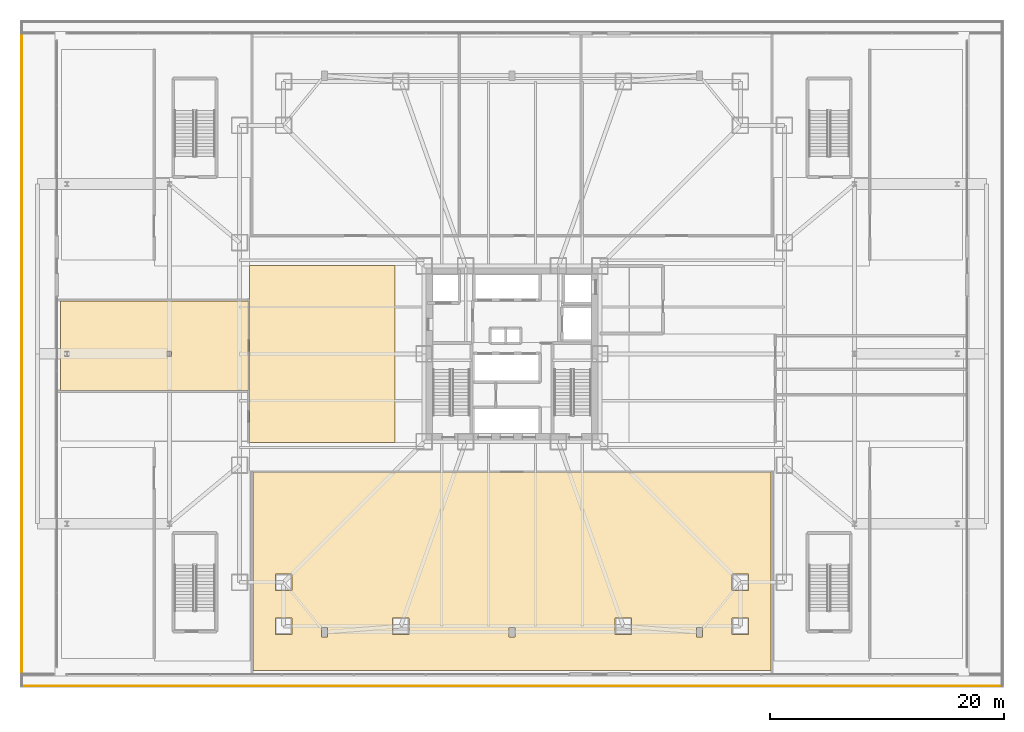
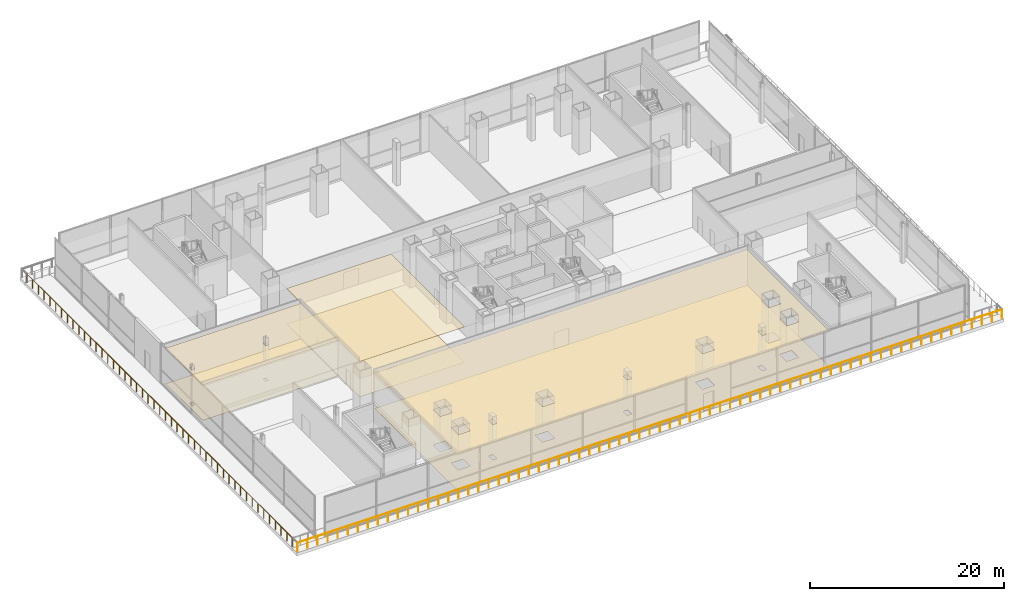
# One storey, part 26 of 36: 6 coverings, 2 railings.
"""IFC4 building model written with IfcOpenShell, lengths in metres."""

from ifc_helpers import new_model, si_unit, direction, frame, origin, origin_2d, place, context, subcontext, project, spatial, polyline, circle, outline, extrude, material, layer, layer_set, type_object, element, save


model = new_model("IFC4")

# Units and contexts
model_context = context("Model", 3, precision=1e-05, world=origin(), true_north=direction((0.0, 1.0)))
body_context = subcontext(model_context, "Body", "Model", "MODEL_VIEW")
ifc_project = project(units=[si_unit("LENGTHUNIT", "METRE"), si_unit("AREAUNIT", "SQUARE_METRE"), si_unit("VOLUMEUNIT", "CUBIC_METRE"), si_unit("PLANEANGLEUNIT", "RADIAN"), si_unit("MASSUNIT", "GRAM", prefix="KILO")], contexts=[model_context])

# Site, building, storey
site_placement = place(None, origin())
site = spatial("IfcSite", under=ifc_project, at=site_placement, CompositionType="ELEMENT")
building_placement = place(site_placement, origin())
building = spatial("IfcBuilding", under=site, at=building_placement, Name="Trevonay Congress Spire", CompositionType="ELEMENT")
storey_placement = place(building_placement, frame((0.0, 0.0, 5.39990234375)))
storey = spatial("IfcBuildingStorey", under=building, at=storey_placement, Name="L01", CompositionType="ELEMENT", Elevation=5.39990234375)

# Coverings
ifc_material_1 = material(Name="Acoustic Mineral Fibre Board", Category="gypsum")
ifc_layer_1 = layer(ifc_material_1, 0.02490234375, Name="Acoustic Mineral Fibre Board")
ifc_layer_set_1 = layer_set([ifc_layer_1], Name="Acoustic Mineral Fibre Board")
covering_type_1 = type_object("IfcCoveringType", Name="COV-CEIL-ACOUSTIC", PredefinedType="CEILING", material=ifc_layer_set_1)
covering_1_placement = place(storey_placement, frame((0.0, 0.0, 4.4501953125)))
element("IfcCovering", 1, at=covering_1_placement, inside=storey, type_object=covering_type_1, Name="L01 L01 West Concourse Foyer acoustic suspended ceiling", PredefinedType="CEILING", context=body_context, shape_type="SweptSolid", body=[
    extrude(outline(polyline([(-22.419921875, -7.550048828125), (-22.419921875, 7.550048828125), (-10.0, 7.550048828125), (-10.0, -7.550048828125), (-22.419921875, -7.550048828125)])), origin(), (0.0, 0.0, 1.0), 0.02490234375),
])
covering_2_placement = place(storey_placement, frame((0.0, 0.0, 4.4501953125)))
element("IfcCovering", 2, at=covering_2_placement, inside=storey, type_object=covering_type_1, Name="L01 Plenary Convention Hall acoustic suspended ceiling", PredefinedType="CEILING", context=body_context, shape_type="SweptSolid", body=[
    extrude(outline(polyline([(-22.1201171875, -10.080078125), (22.1201171875, -10.080078125), (22.1201171875, -27.050048828125), (-22.1201171875, -27.050048828125), (-22.1201171875, -10.080078125)]), holes=[polyline([(-15.739990234375, -23.340087890625), (-16.260009765625, -23.340087890625), (-16.260009765625, -24.159912109375), (-15.739990234375, -24.159912109375), (-15.739990234375, -23.340087890625)]), polyline([(0.260009765625, -23.340087890625), (-0.260009765625, -23.340087890625), (-0.260009765625, -24.159912109375), (0.260009765625, -24.159912109375), (0.260009765625, -23.340087890625)]), polyline([(16.260009765625, -23.340087890625), (15.739990234375, -23.340087890625), (15.739990234375, -24.159912109375), (16.260009765625, -24.159912109375), (16.260009765625, -23.340087890625)]), polyline([(-18.7900390625, -22.5400390625), (-20.2099609375, -22.5400390625), (-20.2099609375, -23.9599609375), (-18.7900390625, -23.9599609375), (-18.7900390625, -22.5400390625)]), polyline([(-8.7900390625, -22.5400390625), (-10.2099609375, -22.5400390625), (-10.2099609375, -23.9599609375), (-8.7900390625, -23.9599609375), (-8.7900390625, -22.5400390625)]), polyline([(10.2099609375, -22.5400390625), (8.7900390625, -22.5400390625), (8.7900390625, -23.9599609375), (10.2099609375, -23.9599609375), (10.2099609375, -22.5400390625)]), polyline([(20.2099609375, -22.5400390625), (18.7900390625, -22.5400390625), (18.7900390625, -23.9599609375), (20.2099609375, -23.9599609375), (20.2099609375, -22.5400390625)]), polyline([(-18.7900390625, -20.2099609375), (-18.7900390625, -18.7900390625), (-20.2099609375, -18.7900390625), (-20.2099609375, -20.2099609375), (-18.7900390625, -20.2099609375)]), polyline([(20.2099609375, -20.2099609375), (20.2099609375, -18.7900390625), (18.7900390625, -18.7900390625), (18.7900390625, -20.2099609375), (20.2099609375, -20.2099609375)])]), origin(), (0.0, 0.0, 1.0), 0.02490234375),
])
covering_3_placement = place(storey_placement, frame((0.0, 0.0, 4.4501953125)))
element("IfcCovering", 3, at=covering_3_placement, inside=storey, type_object=covering_type_1, Name="L01 Speaker Ready Room acoustic suspended ceiling", PredefinedType="CEILING", context=body_context, shape_type="SweptSolid", body=[
    extrude(outline(polyline([(-38.550048828125, 4.52001953125), (-22.47998046875, 4.52001953125), (-22.47998046875, -3.1201171875), (-38.550048828125, -3.1201171875), (-38.550048828125, 4.52001953125)]), holes=[polyline([(-38.18603515625, -0.21337890625), (-37.81396484375, -0.21337890625), (-37.81396484375, 0.21337890625), (-38.18603515625, 0.21337890625), (-38.18603515625, -0.21337890625)]), polyline([(-29.444091796875, -0.222412109375), (-29.055908203125, -0.222412109375), (-29.055908203125, 0.222412109375), (-29.444091796875, 0.222412109375), (-29.444091796875, -0.222412109375)])]), origin(), (0.0, 0.0, 1.0), 0.02490234375),
])
ifc_material_2 = material(Name="Polished Granite Floor Tile", Category="masonry")
ifc_layer_2 = layer(ifc_material_2, 0.02001953125, Name="Polished Granite Floor Tile")
ifc_layer_set_2 = layer_set([ifc_layer_2], Name="Polished Granite Floor Tile")
covering_type_2 = type_object("IfcCoveringType", Name="COV-FLOOR-STONE", PredefinedType="FLOORING", material=ifc_layer_set_2)
covering_4_placement = place(storey_placement, origin())
element("IfcCovering", 4, at=covering_4_placement, inside=storey, type_object=covering_type_2, Name="L01 L01 West Concourse Foyer floor finish", PredefinedType="FLOORING", context=body_context, shape_type="SweptSolid", body=[
    extrude(outline(polyline([(-22.419921875, -7.550048828125), (-22.419921875, 7.550048828125), (-10.0, 7.550048828125), (-10.0, -7.550048828125), (-22.419921875, -7.550048828125)])), origin(), (0.0, 0.0, 1.0), 0.02001953125),
])
covering_5_placement = place(storey_placement, origin())
element("IfcCovering", 5, at=covering_5_placement, inside=storey, type_object=covering_type_2, Name="L01 Plenary Convention Hall floor finish", PredefinedType="FLOORING", context=body_context, shape_type="SweptSolid", body=[
    extrude(outline(polyline([(-22.1201171875, -10.080078125), (22.1201171875, -10.080078125), (22.1201171875, -27.050048828125), (-22.1201171875, -27.050048828125), (-22.1201171875, -10.080078125)]), holes=[polyline([(-15.739990234375, -23.340087890625), (-16.260009765625, -23.340087890625), (-16.260009765625, -24.159912109375), (-15.739990234375, -24.159912109375), (-15.739990234375, -23.340087890625)]), polyline([(0.260009765625, -23.340087890625), (-0.260009765625, -23.340087890625), (-0.260009765625, -24.159912109375), (0.260009765625, -24.159912109375), (0.260009765625, -23.340087890625)]), polyline([(16.260009765625, -23.340087890625), (15.739990234375, -23.340087890625), (15.739990234375, -24.159912109375), (16.260009765625, -24.159912109375), (16.260009765625, -23.340087890625)]), polyline([(-18.7900390625, -22.5400390625), (-20.2099609375, -22.5400390625), (-20.2099609375, -23.9599609375), (-18.7900390625, -23.9599609375), (-18.7900390625, -22.5400390625)]), polyline([(-8.7900390625, -22.5400390625), (-10.2099609375, -22.5400390625), (-10.2099609375, -23.9599609375), (-8.7900390625, -23.9599609375), (-8.7900390625, -22.5400390625)]), polyline([(10.2099609375, -22.5400390625), (8.7900390625, -22.5400390625), (8.7900390625, -23.9599609375), (10.2099609375, -23.9599609375), (10.2099609375, -22.5400390625)]), polyline([(20.2099609375, -22.5400390625), (18.7900390625, -22.5400390625), (18.7900390625, -23.9599609375), (20.2099609375, -23.9599609375), (20.2099609375, -22.5400390625)]), polyline([(-18.7900390625, -20.2099609375), (-18.7900390625, -18.7900390625), (-20.2099609375, -18.7900390625), (-20.2099609375, -20.2099609375), (-18.7900390625, -20.2099609375)]), polyline([(20.2099609375, -20.2099609375), (20.2099609375, -18.7900390625), (18.7900390625, -18.7900390625), (18.7900390625, -20.2099609375), (20.2099609375, -20.2099609375)])]), origin(), (0.0, 0.0, 1.0), 0.02001953125),
])
ifc_material_3 = material(Name="Engineered Oak Flooring", Category="wood")
ifc_layer_3 = layer(ifc_material_3, 0.01806640625, Name="Engineered Oak Flooring")
ifc_layer_set_3 = layer_set([ifc_layer_3], Name="Engineered Oak Flooring")
covering_type_3 = type_object("IfcCoveringType", Name="COV-FLOOR-TIMBER", PredefinedType="FLOORING", material=ifc_layer_set_3)
covering_6_placement = place(storey_placement, origin())
element("IfcCovering", 6, at=covering_6_placement, inside=storey, type_object=covering_type_3, Name="L01 Speaker Ready Room floor finish", PredefinedType="FLOORING", context=body_context, shape_type="SweptSolid", body=[
    extrude(outline(polyline([(-38.550048828125, 4.52001953125), (-22.47998046875, 4.52001953125), (-22.47998046875, -3.1201171875), (-38.550048828125, -3.1201171875), (-38.550048828125, 4.52001953125)]), holes=[polyline([(-38.18603515625, -0.21337890625), (-37.81396484375, -0.21337890625), (-37.81396484375, 0.21337890625), (-38.18603515625, 0.21337890625), (-38.18603515625, -0.21337890625)]), polyline([(-29.444091796875, -0.222412109375), (-29.055908203125, -0.222412109375), (-29.055908203125, 0.222412109375), (-29.444091796875, 0.222412109375), (-29.444091796875, -0.222412109375)])]), origin(), (0.0, 0.0, 1.0), 0.01806640625),
])

# Railings
ifc_material_4 = material(Name="Pale Anodised Aluminium EN AW-6063-T6", Category="aluminium")
railing_type = type_object("IfcRailingType", Name="RAL-EXT-GUARD-115", PredefinedType="GUARDRAIL", material=ifc_material_4)
railing_1_placement = place(storey_placement, frame((-41.85009765625, 27.35009765625, 0.0)))
element("IfcRailing", 7, at=railing_1_placement, inside=storey, type_object=railing_type, Name="L01 perimeter safety guard GRD-L01-TER-W-4", PredefinedType="GUARDRAIL", context=body_context, shape_type="SweptSolid", body=[
    extrude(circle(Radius=0.02392578125, at=origin_2d()), frame((0.0, 0.0, 1.1259765625), z_axis=(0.0, -1.0, 0.0), x_axis=(1.0, 0.0, 0.0)), (0.0, 0.0, 1.0), 54.7001953125),
    extrude(circle(Radius=0.02099609375, at=origin_2d()), origin(), (0.0, 0.0, 1.0), 1.101806640625),
    extrude(circle(Radius=0.02099609375, at=origin_2d()), frame((0.0, -1.189208984375, 0.0)), (0.0, 0.0, 1.0), 1.101806640625),
    extrude(circle(Radius=0.02099609375, at=origin_2d()), frame((0.0, -2.378173828125, 0.0)), (0.0, 0.0, 1.0), 1.101806640625),
    extrude(circle(Radius=0.02099609375, at=origin_2d()), frame((0.0, -3.5673828125, 0.0)), (0.0, 0.0, 1.0), 1.101806640625),
    extrude(circle(Radius=0.02099609375, at=origin_2d()), frame((0.0, -4.756591796875, 0.0)), (0.0, 0.0, 1.0), 1.101806640625),
    extrude(circle(Radius=0.02099609375, at=origin_2d()), frame((0.0, -5.945556640625, 0.0)), (0.0, 0.0, 1.0), 1.101806640625),
    extrude(circle(Radius=0.02099609375, at=origin_2d()), frame((0.0, -7.134765625, 0.0)), (0.0, 0.0, 1.0), 1.101806640625),
    extrude(circle(Radius=0.02099609375, at=origin_2d()), frame((0.0, -8.323974609375, 0.0)), (0.0, 0.0, 1.0), 1.101806640625),
    extrude(circle(Radius=0.02099609375, at=origin_2d()), frame((0.0, -9.51318359375, 0.0)), (0.0, 0.0, 1.0), 1.101806640625),
    extrude(circle(Radius=0.02099609375, at=origin_2d()), frame((0.0, -10.7021484375, 0.0)), (0.0, 0.0, 1.0), 1.101806640625),
    extrude(circle(Radius=0.02099609375, at=origin_2d()), frame((0.0, -11.891357421875, 0.0)), (0.0, 0.0, 1.0), 1.101806640625),
    extrude(circle(Radius=0.02099609375, at=origin_2d()), frame((0.0, -13.08056640625, 0.0)), (0.0, 0.0, 1.0), 1.101806640625),
    extrude(circle(Radius=0.02099609375, at=origin_2d()), frame((0.0, -14.26953125, 0.0)), (0.0, 0.0, 1.0), 1.101806640625),
    extrude(circle(Radius=0.02099609375, at=origin_2d()), frame((0.0, -15.458740234375, 0.0)), (0.0, 0.0, 1.0), 1.101806640625),
    extrude(circle(Radius=0.02099609375, at=origin_2d()), frame((0.0, -16.64794921875, 0.0)), (0.0, 0.0, 1.0), 1.101806640625),
    extrude(circle(Radius=0.02099609375, at=origin_2d()), frame((0.0, -17.8369140625, 0.0)), (0.0, 0.0, 1.0), 1.101806640625),
    extrude(circle(Radius=0.02099609375, at=origin_2d()), frame((0.0, -19.026123046875, 0.0)), (0.0, 0.0, 1.0), 1.101806640625),
    extrude(circle(Radius=0.02099609375, at=origin_2d()), frame((0.0, -20.21533203125, 0.0)), (0.0, 0.0, 1.0), 1.101806640625),
    extrude(circle(Radius=0.02099609375, at=origin_2d()), frame((0.0, -21.404541015625, 0.0)), (0.0, 0.0, 1.0), 1.101806640625),
    extrude(circle(Radius=0.02099609375, at=origin_2d()), frame((0.0, -22.593505859375, 0.0)), (0.0, 0.0, 1.0), 1.101806640625),
    extrude(circle(Radius=0.02099609375, at=origin_2d()), frame((0.0, -23.78271484375, 0.0)), (0.0, 0.0, 1.0), 1.101806640625),
    extrude(circle(Radius=0.02099609375, at=origin_2d()), frame((0.0, -24.971923828125, 0.0)), (0.0, 0.0, 1.0), 1.101806640625),
    extrude(circle(Radius=0.02099609375, at=origin_2d()), frame((0.0, -26.160888671875, 0.0)), (0.0, 0.0, 1.0), 1.101806640625),
    extrude(circle(Radius=0.02099609375, at=origin_2d()), frame((0.0, -27.35009765625, 0.0)), (0.0, 0.0, 1.0), 1.101806640625),
    extrude(circle(Radius=0.02099609375, at=origin_2d()), frame((0.0, -28.539306640625, 0.0)), (0.0, 0.0, 1.0), 1.101806640625),
    extrude(circle(Radius=0.02099609375, at=origin_2d()), frame((0.0, -29.728271484375, 0.0)), (0.0, 0.0, 1.0), 1.101806640625),
    extrude(circle(Radius=0.02099609375, at=origin_2d()), frame((0.0, -30.91748046875, 0.0)), (0.0, 0.0, 1.0), 1.101806640625),
    extrude(circle(Radius=0.02099609375, at=origin_2d()), frame((0.0, -32.106689453125, 0.0)), (0.0, 0.0, 1.0), 1.101806640625),
    extrude(circle(Radius=0.02099609375, at=origin_2d()), frame((0.0, -33.295654296875, 0.0)), (0.0, 0.0, 1.0), 1.101806640625),
    extrude(circle(Radius=0.02099609375, at=origin_2d()), frame((0.0, -34.48486328125, 0.0)), (0.0, 0.0, 1.0), 1.101806640625),
    extrude(circle(Radius=0.02099609375, at=origin_2d()), frame((0.0, -35.674072265625, 0.0)), (0.0, 0.0, 1.0), 1.101806640625),
    extrude(circle(Radius=0.02099609375, at=origin_2d()), frame((0.0, -36.86328125, 0.0)), (0.0, 0.0, 1.0), 1.101806640625),
    extrude(circle(Radius=0.02099609375, at=origin_2d()), frame((0.0, -38.05224609375, 0.0)), (0.0, 0.0, 1.0), 1.101806640625),
    extrude(circle(Radius=0.02099609375, at=origin_2d()), frame((0.0, -39.241455078125, 0.0)), (0.0, 0.0, 1.0), 1.101806640625),
    extrude(circle(Radius=0.02099609375, at=origin_2d()), frame((0.0, -40.4306640625, 0.0)), (0.0, 0.0, 1.0), 1.101806640625),
    extrude(circle(Radius=0.02099609375, at=origin_2d()), frame((0.0, -41.61962890625, 0.0)), (0.0, 0.0, 1.0), 1.101806640625),
    extrude(circle(Radius=0.02099609375, at=origin_2d()), frame((0.0, -42.808837890625, 0.0)), (0.0, 0.0, 1.0), 1.101806640625),
    extrude(circle(Radius=0.02099609375, at=origin_2d()), frame((0.0, -43.998046875, 0.0)), (0.0, 0.0, 1.0), 1.101806640625),
    extrude(circle(Radius=0.02099609375, at=origin_2d()), frame((0.0, -45.18701171875, 0.0)), (0.0, 0.0, 1.0), 1.101806640625),
    extrude(circle(Radius=0.02099609375, at=origin_2d()), frame((0.0, -46.376220703125, 0.0)), (0.0, 0.0, 1.0), 1.101806640625),
    extrude(circle(Radius=0.02099609375, at=origin_2d()), frame((0.0, -47.5654296875, 0.0)), (0.0, 0.0, 1.0), 1.101806640625),
    extrude(circle(Radius=0.02099609375, at=origin_2d()), frame((0.0, -48.754638671875, 0.0)), (0.0, 0.0, 1.0), 1.101806640625),
    extrude(circle(Radius=0.02099609375, at=origin_2d()), frame((0.0, -49.943603515625, 0.0)), (0.0, 0.0, 1.0), 1.101806640625),
    extrude(circle(Radius=0.02099609375, at=origin_2d()), frame((0.0, -51.1328125, 0.0)), (0.0, 0.0, 1.0), 1.101806640625),
    extrude(circle(Radius=0.02099609375, at=origin_2d()), frame((0.0, -52.322021484375, 0.0)), (0.0, 0.0, 1.0), 1.101806640625),
    extrude(circle(Radius=0.02099609375, at=origin_2d()), frame((0.0, -53.510986328125, 0.0)), (0.0, 0.0, 1.0), 1.101806640625),
    extrude(circle(Radius=0.02099609375, at=origin_2d()), frame((0.0, -54.7001953125, 0.0)), (0.0, 0.0, 1.0), 1.101806640625),
])
railing_2_placement = place(storey_placement, frame((-41.85009765625, -28.35009765625, 0.0)))
element("IfcRailing", 8, at=railing_2_placement, inside=storey, type_object=railing_type, Name="L01 perimeter safety guard GRD-L01-TER-S-2", PredefinedType="GUARDRAIL", context=body_context, shape_type="SweptSolid", body=[
    extrude(circle(Radius=0.02392578125, at=origin_2d()), frame((0.0, 0.0, 1.1259765625), z_axis=(1.0, 0.0, 0.0), x_axis=(0.0, 1.0, 0.0)), (0.0, 0.0, 1.0), 83.7001953125),
    extrude(circle(Radius=0.02099609375, at=origin_2d()), origin(), (0.0, 0.0, 1.0), 1.101806640625),
    extrude(circle(Radius=0.02099609375, at=origin_2d()), frame((1.19580078125, 0.0, 0.0)), (0.0, 0.0, 1.0), 1.101806640625),
    extrude(circle(Radius=0.02099609375, at=origin_2d()), frame((2.391357421875, 0.0, 0.0)), (0.0, 0.0, 1.0), 1.101806640625),
    extrude(circle(Radius=0.02099609375, at=origin_2d()), frame((3.587158203125, 0.0, 0.0)), (0.0, 0.0, 1.0), 1.101806640625),
    extrude(circle(Radius=0.02099609375, at=origin_2d()), frame((4.782958984375, 0.0, 0.0)), (0.0, 0.0, 1.0), 1.101806640625),
    extrude(circle(Radius=0.02099609375, at=origin_2d()), frame((5.978515625, 0.0, 0.0)), (0.0, 0.0, 1.0), 1.101806640625),
    extrude(circle(Radius=0.02099609375, at=origin_2d()), frame((7.17431640625, 0.0, 0.0)), (0.0, 0.0, 1.0), 1.101806640625),
    extrude(circle(Radius=0.02099609375, at=origin_2d()), frame((8.3701171875, 0.0, 0.0)), (0.0, 0.0, 1.0), 1.101806640625),
    extrude(circle(Radius=0.02099609375, at=origin_2d()), frame((9.565673828125, 0.0, 0.0)), (0.0, 0.0, 1.0), 1.101806640625),
    extrude(circle(Radius=0.02099609375, at=origin_2d()), frame((10.761474609375, 0.0, 0.0)), (0.0, 0.0, 1.0), 1.101806640625),
    extrude(circle(Radius=0.02099609375, at=origin_2d()), frame((11.957275390625, 0.0, 0.0)), (0.0, 0.0, 1.0), 1.101806640625),
    extrude(circle(Radius=0.02099609375, at=origin_2d()), frame((13.15283203125, 0.0, 0.0)), (0.0, 0.0, 1.0), 1.101806640625),
    extrude(circle(Radius=0.02099609375, at=origin_2d()), frame((14.3486328125, 0.0, 0.0)), (0.0, 0.0, 1.0), 1.101806640625),
    extrude(circle(Radius=0.02099609375, at=origin_2d()), frame((15.54443359375, 0.0, 0.0)), (0.0, 0.0, 1.0), 1.101806640625),
    extrude(circle(Radius=0.02099609375, at=origin_2d()), frame((16.739990234375, 0.0, 0.0)), (0.0, 0.0, 1.0), 1.101806640625),
    extrude(circle(Radius=0.02099609375, at=origin_2d()), frame((17.935791015625, 0.0, 0.0)), (0.0, 0.0, 1.0), 1.101806640625),
    extrude(circle(Radius=0.02099609375, at=origin_2d()), frame((19.131591796875, 0.0, 0.0)), (0.0, 0.0, 1.0), 1.101806640625),
    extrude(circle(Radius=0.02099609375, at=origin_2d()), frame((20.3271484375, 0.0, 0.0)), (0.0, 0.0, 1.0), 1.101806640625),
    extrude(circle(Radius=0.02099609375, at=origin_2d()), frame((21.52294921875, 0.0, 0.0)), (0.0, 0.0, 1.0), 1.101806640625),
    extrude(circle(Radius=0.02099609375, at=origin_2d()), frame((22.718505859375, 0.0, 0.0)), (0.0, 0.0, 1.0), 1.101806640625),
    extrude(circle(Radius=0.02099609375, at=origin_2d()), frame((23.914306640625, 0.0, 0.0)), (0.0, 0.0, 1.0), 1.101806640625),
    extrude(circle(Radius=0.02099609375, at=origin_2d()), frame((25.110107421875, 0.0, 0.0)), (0.0, 0.0, 1.0), 1.101806640625),
    extrude(circle(Radius=0.02099609375, at=origin_2d()), frame((26.3056640625, 0.0, 0.0)), (0.0, 0.0, 1.0), 1.101806640625),
    extrude(circle(Radius=0.02099609375, at=origin_2d()), frame((27.50146484375, 0.0, 0.0)), (0.0, 0.0, 1.0), 1.101806640625),
    extrude(circle(Radius=0.02099609375, at=origin_2d()), frame((28.697265625, 0.0, 0.0)), (0.0, 0.0, 1.0), 1.101806640625),
    extrude(circle(Radius=0.02099609375, at=origin_2d()), frame((29.892822265625, 0.0, 0.0)), (0.0, 0.0, 1.0), 1.101806640625),
    extrude(circle(Radius=0.02099609375, at=origin_2d()), frame((31.088623046875, 0.0, 0.0)), (0.0, 0.0, 1.0), 1.101806640625),
    extrude(circle(Radius=0.02099609375, at=origin_2d()), frame((32.284423828125, 0.0, 0.0)), (0.0, 0.0, 1.0), 1.101806640625),
    extrude(circle(Radius=0.02099609375, at=origin_2d()), frame((33.47998046875, 0.0, 0.0)), (0.0, 0.0, 1.0), 1.101806640625),
    extrude(circle(Radius=0.02099609375, at=origin_2d()), frame((34.67578125, 0.0, 0.0)), (0.0, 0.0, 1.0), 1.101806640625),
    extrude(circle(Radius=0.02099609375, at=origin_2d()), frame((35.87158203125, 0.0, 0.0)), (0.0, 0.0, 1.0), 1.101806640625),
    extrude(circle(Radius=0.02099609375, at=origin_2d()), frame((37.067138671875, 0.0, 0.0)), (0.0, 0.0, 1.0), 1.101806640625),
    extrude(circle(Radius=0.02099609375, at=origin_2d()), frame((38.262939453125, 0.0, 0.0)), (0.0, 0.0, 1.0), 1.101806640625),
    extrude(circle(Radius=0.02099609375, at=origin_2d()), frame((39.458740234375, 0.0, 0.0)), (0.0, 0.0, 1.0), 1.101806640625),
    extrude(circle(Radius=0.02099609375, at=origin_2d()), frame((40.654296875, 0.0, 0.0)), (0.0, 0.0, 1.0), 1.101806640625),
    extrude(circle(Radius=0.02099609375, at=origin_2d()), frame((41.85009765625, 0.0, 0.0)), (0.0, 0.0, 1.0), 1.101806640625),
    extrude(circle(Radius=0.02099609375, at=origin_2d()), frame((43.0458984375, 0.0, 0.0)), (0.0, 0.0, 1.0), 1.101806640625),
    extrude(circle(Radius=0.02099609375, at=origin_2d()), frame((44.241455078125, 0.0, 0.0)), (0.0, 0.0, 1.0), 1.101806640625),
    extrude(circle(Radius=0.02099609375, at=origin_2d()), frame((45.437255859375, 0.0, 0.0)), (0.0, 0.0, 1.0), 1.101806640625),
    extrude(circle(Radius=0.02099609375, at=origin_2d()), frame((46.633056640625, 0.0, 0.0)), (0.0, 0.0, 1.0), 1.101806640625),
    extrude(circle(Radius=0.02099609375, at=origin_2d()), frame((47.82861328125, 0.0, 0.0)), (0.0, 0.0, 1.0), 1.101806640625),
    extrude(circle(Radius=0.02099609375, at=origin_2d()), frame((49.0244140625, 0.0, 0.0)), (0.0, 0.0, 1.0), 1.101806640625),
    extrude(circle(Radius=0.02099609375, at=origin_2d()), frame((50.22021484375, 0.0, 0.0)), (0.0, 0.0, 1.0), 1.101806640625),
    extrude(circle(Radius=0.02099609375, at=origin_2d()), frame((51.415771484375, 0.0, 0.0)), (0.0, 0.0, 1.0), 1.101806640625),
    extrude(circle(Radius=0.02099609375, at=origin_2d()), frame((52.611572265625, 0.0, 0.0)), (0.0, 0.0, 1.0), 1.101806640625),
    extrude(circle(Radius=0.02099609375, at=origin_2d()), frame((53.807373046875, 0.0, 0.0)), (0.0, 0.0, 1.0), 1.101806640625),
    extrude(circle(Radius=0.02099609375, at=origin_2d()), frame((55.0029296875, 0.0, 0.0)), (0.0, 0.0, 1.0), 1.101806640625),
    extrude(circle(Radius=0.02099609375, at=origin_2d()), frame((56.19873046875, 0.0, 0.0)), (0.0, 0.0, 1.0), 1.101806640625),
    extrude(circle(Radius=0.02099609375, at=origin_2d()), frame((57.39453125, 0.0, 0.0)), (0.0, 0.0, 1.0), 1.101806640625),
    extrude(circle(Radius=0.02099609375, at=origin_2d()), frame((58.590087890625, 0.0, 0.0)), (0.0, 0.0, 1.0), 1.101806640625),
    extrude(circle(Radius=0.02099609375, at=origin_2d()), frame((59.785888671875, 0.0, 0.0)), (0.0, 0.0, 1.0), 1.101806640625),
    extrude(circle(Radius=0.02099609375, at=origin_2d()), frame((60.981689453125, 0.0, 0.0)), (0.0, 0.0, 1.0), 1.101806640625),
    extrude(circle(Radius=0.02099609375, at=origin_2d()), frame((62.17724609375, 0.0, 0.0)), (0.0, 0.0, 1.0), 1.101806640625),
    extrude(circle(Radius=0.02099609375, at=origin_2d()), frame((63.373046875, 0.0, 0.0)), (0.0, 0.0, 1.0), 1.101806640625),
    extrude(circle(Radius=0.02099609375, at=origin_2d()), frame((64.568603515625, 0.0, 0.0)), (0.0, 0.0, 1.0), 1.101806640625),
    extrude(circle(Radius=0.02099609375, at=origin_2d()), frame((65.764404296875, 0.0, 0.0)), (0.0, 0.0, 1.0), 1.101806640625),
    extrude(circle(Radius=0.02099609375, at=origin_2d()), frame((66.960205078125, 0.0, 0.0)), (0.0, 0.0, 1.0), 1.101806640625),
    extrude(circle(Radius=0.02099609375, at=origin_2d()), frame((68.15576171875, 0.0, 0.0)), (0.0, 0.0, 1.0), 1.101806640625),
    extrude(circle(Radius=0.02099609375, at=origin_2d()), frame((69.3515625, 0.0, 0.0)), (0.0, 0.0, 1.0), 1.101806640625),
    extrude(circle(Radius=0.02099609375, at=origin_2d()), frame((70.54736328125, 0.0, 0.0)), (0.0, 0.0, 1.0), 1.101806640625),
    extrude(circle(Radius=0.02099609375, at=origin_2d()), frame((71.742919921875, 0.0, 0.0)), (0.0, 0.0, 1.0), 1.101806640625),
    extrude(circle(Radius=0.02099609375, at=origin_2d()), frame((72.938720703125, 0.0, 0.0)), (0.0, 0.0, 1.0), 1.101806640625),
    extrude(circle(Radius=0.02099609375, at=origin_2d()), frame((74.134521484375, 0.0, 0.0)), (0.0, 0.0, 1.0), 1.101806640625),
    extrude(circle(Radius=0.02099609375, at=origin_2d()), frame((75.330078125, 0.0, 0.0)), (0.0, 0.0, 1.0), 1.101806640625),
    extrude(circle(Radius=0.02099609375, at=origin_2d()), frame((76.52587890625, 0.0, 0.0)), (0.0, 0.0, 1.0), 1.101806640625),
    extrude(circle(Radius=0.02099609375, at=origin_2d()), frame((77.7216796875, 0.0, 0.0)), (0.0, 0.0, 1.0), 1.101806640625),
    extrude(circle(Radius=0.02099609375, at=origin_2d()), frame((78.917236328125, 0.0, 0.0)), (0.0, 0.0, 1.0), 1.101806640625),
    extrude(circle(Radius=0.02099609375, at=origin_2d()), frame((80.113037109375, 0.0, 0.0)), (0.0, 0.0, 1.0), 1.101806640625),
    extrude(circle(Radius=0.02099609375, at=origin_2d()), frame((81.308837890625, 0.0, 0.0)), (0.0, 0.0, 1.0), 1.101806640625),
    extrude(circle(Radius=0.02099609375, at=origin_2d()), frame((82.50439453125, 0.0, 0.0)), (0.0, 0.0, 1.0), 1.101806640625),
    extrude(circle(Radius=0.02099609375, at=origin_2d()), frame((83.7001953125, 0.0, 0.0)), (0.0, 0.0, 1.0), 1.101806640625),
])

save(model, "model.ifc")
